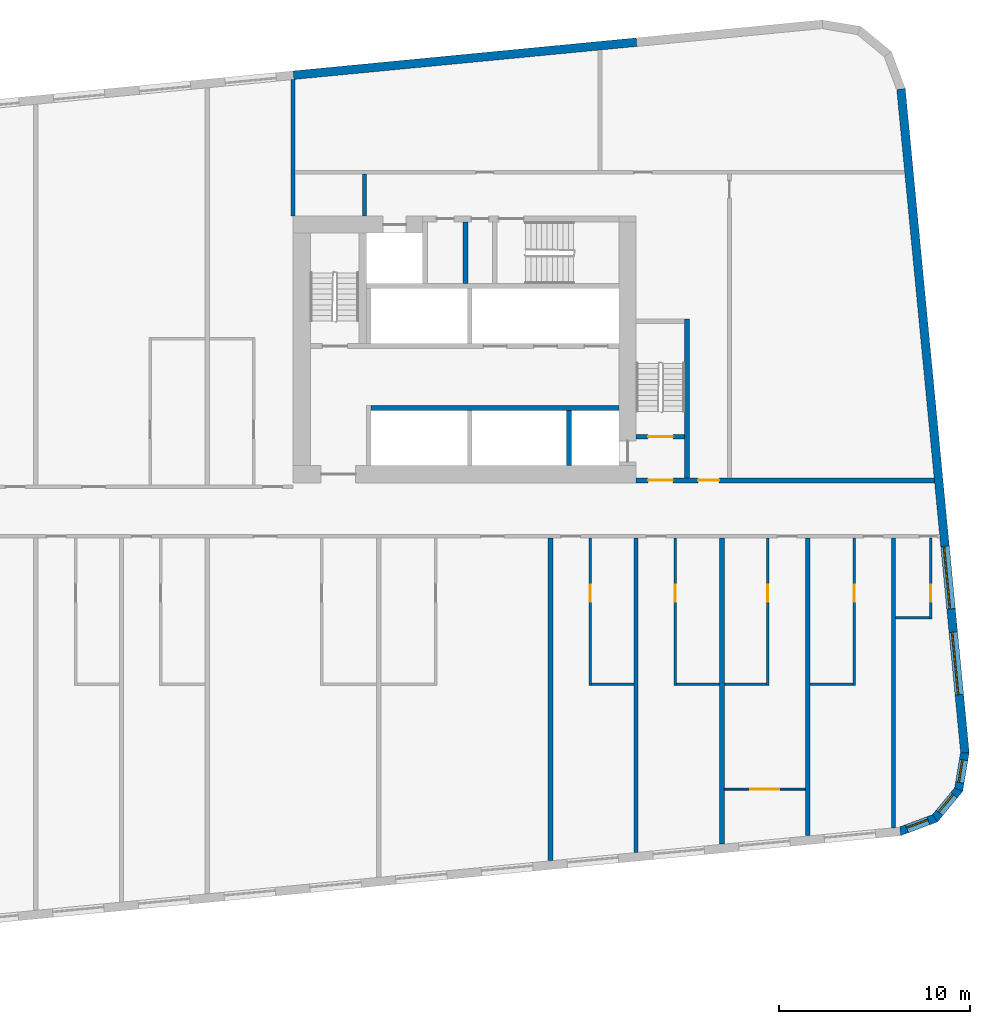
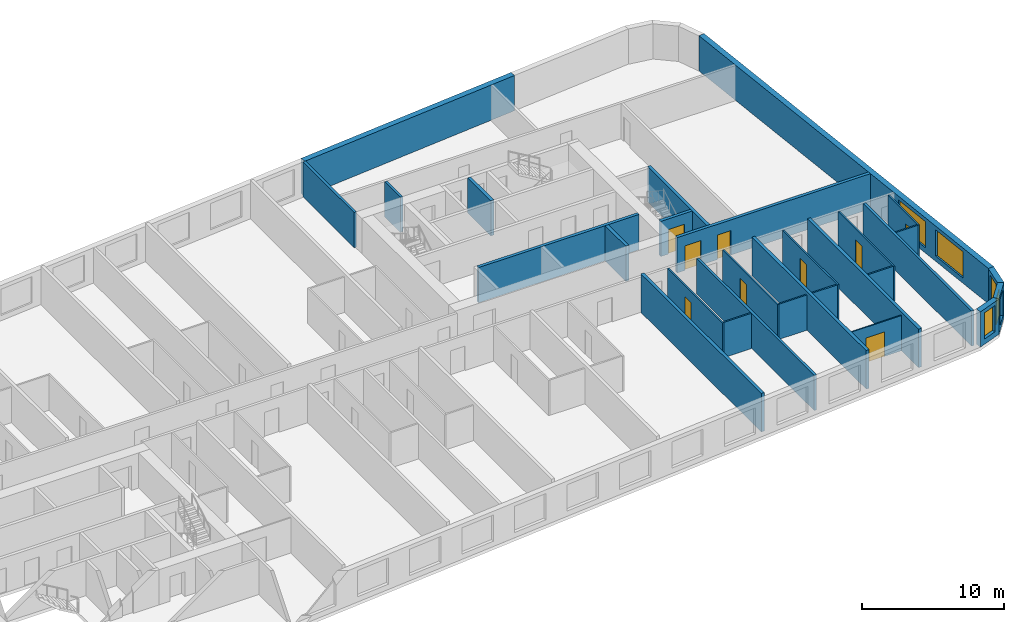
# One storey, part 7 of 12: 29 walls, 9 doors, 5 windows, 14 openings.
"""IFC4 building model written with IfcOpenShell, lengths in metres."""

import ifcopenshell
import ifcopenshell.guid

model = None  # the IFC model being written
_history = None  # IfcOwnerHistory: only IFC2X3 demands one
_inside = {}  # id of a spatial element -> (the spatial element, [elements in it])
_under = {}  # id of a project, library or spatial element -> (it, [spatial elements below it])
_declared = {}  # id of a project -> (the project, [libraries it declares])
_typed = {}  # id of a type object -> (the type object, [elements of that type])
_made_of = {}  # id of a material, layer set ... -> (it, [elements and type objects made of it])


def new_model(schema):
    """Start an empty IFC model of exactly this schema.

    Asked for "IFC4X3", IfcOpenShell would pick the latest addendum, in which some entities
    have other attributes; the version numbers below select the first issue.
    IFC2X3 requires an IfcOwnerHistory on every rooted entity: one is made here for all.
    """
    global model, _history
    if schema == "IFC4X3":
        model = ifcopenshell.file(schema_version=(4, 3, 0, 0))
    else:
        model = ifcopenshell.file(schema=schema)
    _inside.clear()
    _under.clear()
    _declared.clear()
    _typed.clear()
    _made_of.clear()
    _history = None
    if model.schema == "IFC2X3":
        org = make("IfcOrganization", Name="unknown")
        user = make(
            "IfcPersonAndOrganization",
            ThePerson=make("IfcPerson", FamilyName="unknown"),
            TheOrganization=org,
        )
        app = make(
            "IfcApplication",
            ApplicationDeveloper=org,
            Version="unknown",
            ApplicationFullName="unknown",
            ApplicationIdentifier="unknown",
        )
        _history = make(
            "IfcOwnerHistory",
            OwningUser=user,
            OwningApplication=app,
            ChangeAction="ADDED",
            CreationDate=0,
        )
    return model


def make(cls, **values):
    """One entity of the class cls with the attributes given. An attribute that is None is left unset."""
    return model.create_entity(
        cls, **{name: value for name, value in values.items() if value is not None}
    )


def rooted(cls, **values):
    """An entity with a GlobalId (a new one), such as an element, a storey or a relation."""
    return make(cls, GlobalId=ifcopenshell.guid.new(), OwnerHistory=_history, **values)


def si_unit(unit_type, name, prefix=None):
    """IfcSIUnit, for example si_unit("LENGTHUNIT", "METRE", prefix="MILLI")."""
    return make("IfcSIUnit", UnitType=unit_type, Prefix=prefix, Name=name)


def assignment(units):
    """IfcUnitAssignment: the units of a project."""
    return None if units is None else make("IfcUnitAssignment", Units=units)


def point(xyz):
    """IfcCartesianPoint."""
    return None if xyz is None else make("IfcCartesianPoint", Coordinates=xyz)


def direction(xyz):
    """IfcDirection."""
    return None if xyz is None else make("IfcDirection", DirectionRatios=xyz)


def frame(location, z_axis=None, x_axis=None):
    """IfcAxis2Placement3D, a coordinate frame: its origin and axes. An axis left out is left unset."""
    return make(
        "IfcAxis2Placement3D",
        Location=point(location),
        Axis=direction(z_axis),
        RefDirection=direction(x_axis),
    )


def frame_2d(location, x_axis=None):
    """IfcAxis2Placement2D, a coordinate frame in the plane: its origin and x axis."""
    return make(
        "IfcAxis2Placement2D", Location=point(location), RefDirection=direction(x_axis)
    )


def origin():
    """The frame at (0, 0, 0) with its axes left unset."""
    return frame((0.0, 0.0, 0.0))


def place(relative_to, where):
    """IfcLocalPlacement: puts the frame where relative to a parent placement (None: the world)."""
    return make(
        "IfcLocalPlacement", PlacementRelTo=relative_to, RelativePlacement=where
    )


def context(
    kind, dimensions, precision=None, world=None, true_north=None, identifier=None
):
    """IfcGeometricRepresentationContext, for example the 3D "Model" context."""
    return make(
        "IfcGeometricRepresentationContext",
        ContextIdentifier=identifier,
        ContextType=kind,
        CoordinateSpaceDimension=dimensions,
        Precision=precision,
        WorldCoordinateSystem=world,
        TrueNorth=true_north,
    )


def subcontext(parent, identifier, kind, view, scale=None):
    """IfcGeometricRepresentationSubContext, for example "Body" below "Model"."""
    return make(
        "IfcGeometricRepresentationSubContext",
        ContextIdentifier=identifier,
        ContextType=kind,
        ParentContext=parent,
        TargetScale=scale,
        TargetView=view,
    )


def project(units=None, contexts=None):
    """IfcProject with its units and contexts."""
    return rooted(
        "IfcProject",
        Name="project",
        RepresentationContexts=contexts,
        UnitsInContext=assignment(units),
    )


def spatial(cls, under=None, at=None, **own):
    """A site, building, storey or space (cls), placed at a placement, below another one or the project."""
    s = rooted(cls, ObjectPlacement=at, **own)
    if under is not None:
        _under.setdefault(under.id(), (under, []))[1].append(s)
    return s


def polyline(points):
    """IfcPolyline through the points."""
    return make("IfcPolyline", Points=[point(p) for p in points])


def profile(cls, at=None, kind="AREA", **sizes):
    """A parametric profile (cls). Its sizes go by their IFC names, for example OverallWidth=200.0."""
    return make(cls, ProfileType=kind, Position=at, **sizes)


def rectangle(**sizes):
    """IfcRectangleProfileDef."""
    return profile("IfcRectangleProfileDef", **sizes)


def outline(outer, holes=None, kind="AREA"):
    """IfcArbitraryClosedProfileDef: a profile drawn as a closed curve; with holes, ...WithVoids."""
    if holes is None:
        return make("IfcArbitraryClosedProfileDef", ProfileType=kind, OuterCurve=outer)
    return make(
        "IfcArbitraryProfileDefWithVoids",
        ProfileType=kind,
        OuterCurve=outer,
        InnerCurves=holes,
    )


def extrude(swept, where, along, depth):
    """IfcExtrudedAreaSolid: the profile swept, set in the frame where, extruded along a direction by depth."""
    return make(
        "IfcExtrudedAreaSolid",
        SweptArea=swept,
        Position=where,
        ExtrudedDirection=direction(along),
        Depth=depth,
    )


def shape(context_of_items, identifier, shape_type, items):
    """IfcShapeRepresentation: the items that make up one representation, for example the "Body"."""
    return make(
        "IfcShapeRepresentation",
        ContextOfItems=context_of_items,
        RepresentationIdentifier=identifier,
        RepresentationType=shape_type,
        Items=items,
    )


def material(Name=None, Category=None):
    """IfcMaterial."""
    return make("IfcMaterial", Name=Name, Category=Category)


def layer(
    of_material, thickness, ventilated=None, Name=None, Category=None, Priority=None
):
    """IfcMaterialLayer: one layer of a wall or slab, of a material (None: an air gap)."""
    return make(
        "IfcMaterialLayer",
        Material=of_material,
        LayerThickness=thickness,
        IsVentilated=ventilated,
        Name=Name,
        Category=Category,
        Priority=Priority,
    )


def layer_set(layers, Name=None):
    """IfcMaterialLayerSet."""
    return make("IfcMaterialLayerSet", MaterialLayers=layers, LayerSetName=Name)


def made_of(thing, what):
    """Note that an element or type object is made of a material, layer set ...; save() writes the relation."""
    if what is not None:
        _made_of.setdefault(what.id(), (what, []))[1].append(thing)
    return thing


def type_object(cls, material=None, **own):
    """A type object (cls), such as IfcWallType, which elements share."""
    return made_of(rooted(cls, **own), material)


def element(
    cls,
    number,
    at=None,
    inside=None,
    cuts=None,
    type_object=None,
    material=None,
    context=None,
    identifier="Body",
    shape_type=None,
    held_by="IfcProductDefinitionShape",
    body=None,
    shapes=None,
    **own,
):
    """One element of the class cls, such as IfcWall. Its Tag is "e" and its number.

    at: its placement. inside: the storey or other place that contains it. cuts: it is an
    opening in that element (IfcRelVoidsElement). A single representation is given by context,
    identifier, shape_type and body (its items); several are given by shapes. held_by: the class
    of the entity that holds the representations. save() writes the other relations.
    """
    e = rooted(cls, Tag="e%d" % number, ObjectPlacement=at, **own)
    if body is not None:
        shapes = [shape(context, identifier, shape_type, body)]
    if shapes is not None:
        e.Representation = make(held_by, Representations=shapes)
    if inside is not None:
        _inside.setdefault(inside.id(), (inside, []))[1].append(e)
    if cuts is not None:
        rooted(
            "IfcRelVoidsElement", RelatingBuildingElement=cuts, RelatedOpeningElement=e
        )
    if type_object is not None:
        _typed.setdefault(type_object.id(), (type_object, []))[1].append(e)
    return made_of(e, material)


def fill(opening, filler):
    """IfcRelFillsElement: the door or window that sits in an opening."""
    return rooted(
        "IfcRelFillsElement",
        RelatingOpeningElement=opening,
        RelatedBuildingElement=filler,
    )


def aggregate(whole, parts):
    """IfcRelAggregates: a whole, such as a stair, and the parts it consists of."""
    return rooted("IfcRelAggregates", RelatingObject=whole, RelatedObjects=parts)


def save(model, path):
    """Write the relations noted so far, then the file.

    IfcRelAggregates (storeys below a building ...), IfcRelContainedInSpatialStructure (elements
    in a storey), IfcRelDefinesByType, IfcRelAssociatesMaterial and IfcRelDeclares: one each for
    every whole, place, type object, material and project.
    """
    for whole, parts in _under.values():
        aggregate(whole, parts)
    for where, things in _inside.values():
        rooted(
            "IfcRelContainedInSpatialStructure",
            RelatedElements=things,
            RelatingStructure=where,
        )
    for kind, things in _typed.values():
        rooted("IfcRelDefinesByType", RelatedObjects=things, RelatingType=kind)
    for what, things in _made_of.values():
        rooted("IfcRelAssociatesMaterial", RelatedObjects=things, RelatingMaterial=what)
    for by, libraries in _declared.values():
        rooted("IfcRelDeclares", RelatingContext=by, RelatedDefinitions=libraries)
    model.write(path)


model = new_model("IFC4")

# Units and contexts
model_context = context("Model", 3, precision=1e-05, world=origin(), true_north=direction((0.0, 1.0)))
body_context = subcontext(model_context, "Body", "Model", "MODEL_VIEW")
ifc_project = project(units=[si_unit("LENGTHUNIT", "METRE"), si_unit("AREAUNIT", "SQUARE_METRE"), si_unit("VOLUMEUNIT", "CUBIC_METRE"), si_unit("PLANEANGLEUNIT", "RADIAN"), si_unit("MASSUNIT", "GRAM", prefix="KILO")], contexts=[model_context])

# Site, building, storey
site_placement = place(None, origin())
site = spatial("IfcSite", under=ifc_project, at=site_placement, CompositionType="ELEMENT")
building_placement = place(site_placement, origin())
building = spatial("IfcBuilding", under=site, at=building_placement, Name="Kajstack Hotel Tower", CompositionType="ELEMENT")
storey_placement = place(building_placement, frame((0.0, 0.0, 133.89990234375)))
storey = spatial("IfcBuildingStorey", under=building, at=storey_placement, Name="L30", CompositionType="ELEMENT", Elevation=133.89990234375)

# Walls
ifc_material_1 = material(Name="Twin-frame gypsum board on steel studs, mineral wool", Category="steel")
ifc_layer_1 = layer(ifc_material_1, 0.199951171875)
ifc_layer_set_1 = layer_set([ifc_layer_1], Name="Demising wall 200")
wall_type_1 = type_object("IfcWallType", Name="Demising wall 200", PredefinedType="PARTITIONING", material=ifc_layer_set_1)
wall_1_placement = place(storey_placement, frame((13.5, 15.5, 0.0), z_axis=(0.0, 0.0, 1.0), x_axis=(0.0, 1.0, 0.0)))
element("IfcWall", 1, at=wall_1_placement, inside=storey, type_object=wall_type_1, Name="G-wall-L30-001", PredefinedType="PARTITIONING", context=body_context, shape_type="SweptSolid", body=[
    extrude(rectangle(XDim=7.162109375, YDim=0.199951171875, at=frame_2d((3.5810546875, 0.0))), origin(), (0.0, 0.0, 1.0), 3.02001953125),
])
wall_2_placement = place(storey_placement, frame((31.5, -17.89892578125, 0.0), z_axis=(0.0, 0.0, 1.0), x_axis=(0.0, 1.0, 0.0)))
element("IfcWall", 2, at=wall_2_placement, inside=storey, type_object=wall_type_1, Name="G-wall-L30-036", PredefinedType="PARTITIONING", context=body_context, shape_type="SweptSolid", body=[
    extrude(rectangle(XDim=16.4990234375, YDim=0.199951171875, at=frame_2d((8.24951171875, 0.0))), origin(), (0.0, 0.0, 1.0), 3.02001953125),
])
wall_3_placement = place(storey_placement, frame((45.0, -16.59912109375, 0.0), z_axis=(0.0, 0.0, 1.0), x_axis=(0.0, 1.0, 0.0)))
element("IfcWall", 3, at=wall_3_placement, inside=storey, type_object=wall_type_1, Name="G-wall-L30-044", PredefinedType="PARTITIONING", context=body_context, shape_type="SweptSolid", body=[
    extrude(rectangle(XDim=15.19921875, YDim=0.199951171875, at=frame_2d((7.599609375, 0.0))), origin(), (0.0, 0.0, 1.0), 3.02001953125),
])
ifc_material_2 = material(Name="Concrete C40/50", Category="concrete")
ifc_layer_2 = layer(ifc_material_2, 0.449951171875)
ifc_layer_set_2 = layer_set([ifc_layer_2], Name="EW-CORE")
wall_type_2 = type_object("IfcWallType", Name="EW-CORE", PredefinedType="SOLIDWALL", material=ifc_layer_set_2)
wall_4_placement = place(storey_placement, frame((31.521484375, 24.623291015625, 0.0), z_axis=(0.0, 0.0, 1.0), x_axis=(-0.995396454615, -0.095843091245, 0.0)))
element("IfcWall", 4, at=wall_4_placement, inside=storey, type_object=wall_type_2, Name="E-wall-L30-12-01", PredefinedType="SOLIDWALL", context=body_context, shape_type="SweptSolid", body=[
    extrude(rectangle(XDim=18.083251953125, YDim=0.449951171875, at=frame_2d((9.04150390625, 0.0))), origin(), (0.0, 0.0, 1.0), 3.02001953125),
])

# Wall, opening, window
ifc_material_3 = material(Name="Terracotta-faced brick masonry", Category="masonry")
ifc_layer_3 = layer(ifc_material_3, 0.449951171875)
ifc_layer_set_3 = layer_set([ifc_layer_3], Name="EW-TERRA")
wall_type_3 = type_object("IfcWallType", Name="EW-TERRA", PredefinedType="SOLIDWALL", material=ifc_layer_set_3)
wall_5_placement = place(storey_placement, frame((45.300048828125, -16.804443359375, 0.0), z_axis=(0.0, 0.0, 1.0), x_axis=(0.936677599948, 0.350192909346, 0.0)))
wall_5 = element("IfcWall", 5, at=wall_5_placement, inside=storey, type_object=wall_type_3, Name="E-wall-L30-05-00", PredefinedType="SOLIDWALL", context=body_context, shape_type="SweptSolid", body=[
    extrude(outline(polyline([(0.0, -0.224853515625), (2.070556640625, -0.224853515625), (1.949951171875, 0.22509765625), (0.12060546875, 0.22509765625), (0.0, -0.224853515625)])), origin(), (0.0, 0.0, 1.0), 3.02001953125),
])
opening_1_placement = place(wall_5_placement, frame((0.435302734375, 0.0, 0.449951171875)))
opening_1 = element("IfcOpeningElement", 6, at=opening_1_placement, cuts=wall_5, Name="Opening W3", PredefinedType="OPENING", context=body_context, shape_type="SweptSolid", body=[
    extrude(rectangle(XDim=1.199951171875, YDim=2.25, at=frame_2d((0.60009765625, 1.125))), frame((0.0, 0.23486328125, 0.0), z_axis=(0.0, -1.0, 0.0), x_axis=(1.0, 0.0, 0.0)), (0.0, 0.0, 1.0), 0.469970703125),
])
ifc_material_4 = material(Name="Timber-aluminium window, triple glazed", Category="wood")
window_type_1 = type_object("IfcWindowType", Name="WG3", PartitioningType="SINGLE_PANEL", PredefinedType="WINDOW", material=ifc_material_4)
window_1_placement = place(opening_1_placement, origin())
window_1 = element("IfcWindow", 7, at=window_1_placement, inside=storey, type_object=window_type_1, Name="Window W3 L30-05", OverallHeight=2.25, OverallWidth=1.199951171875, PartitioningType="SINGLE_PANEL", PredefinedType="WINDOW", context=body_context, shape_type="SweptSolid", body=[
    extrude(rectangle(XDim=1.199951171875, YDim=2.25, at=frame_2d((0.60009765625, 1.125))), frame((0.0, 0.090087890625, 0.0), z_axis=(0.0, -1.0, 0.0), x_axis=(1.0, 0.0, 0.0)), (0.0, 0.0, 1.0), 0.06005859375),
])
fill(opening_1, window_1)

wall_6_placement = place(storey_placement, frame((47.144775390625, -16.14697265625, 0.0), z_axis=(0.0, 0.0, 1.0), x_axis=(0.635988241739, 0.771698747161, 0.0)))
wall_6 = element("IfcWall", 8, at=wall_6_placement, inside=storey, type_object=wall_type_3, Name="E-wall-L30-06-00", PredefinedType="SOLIDWALL", context=body_context, shape_type="SweptSolid", body=[
    extrude(outline(polyline([(0.0, -0.224853515625), (2.070556640625, -0.22509765625), (1.949951171875, 0.224853515625), (0.12060546875, 0.22509765625), (0.0, -0.224853515625)])), origin(), (0.0, 0.0, 1.0), 3.02001953125),
])
opening_2_placement = place(wall_6_placement, frame((0.435302734375, 0.0, 0.449951171875)))
opening_2 = element("IfcOpeningElement", 9, at=opening_2_placement, cuts=wall_6, Name="Opening W3", PredefinedType="OPENING", context=body_context, shape_type="SweptSolid", body=[
    extrude(rectangle(XDim=1.199951171875, YDim=2.25, at=frame_2d((0.60009765625, 1.125))), frame((0.0, 0.23486328125, 0.0), z_axis=(0.0, -1.0, 0.0), x_axis=(1.0, 0.0, 0.0)), (0.0, 0.0, 1.0), 0.469970703125),
])
window_2_placement = place(opening_2_placement, origin())
window_2 = element("IfcWindow", 10, at=window_2_placement, inside=storey, type_object=window_type_1, Name="Window W3 L30-06", OverallHeight=2.25, OverallWidth=1.199951171875, PartitioningType="SINGLE_PANEL", PredefinedType="WINDOW", context=body_context, shape_type="SweptSolid", body=[
    extrude(rectangle(XDim=1.199951171875, YDim=2.25, at=frame_2d((0.60009765625, 1.125))), frame((0.0, 0.090087890625, 0.0), z_axis=(0.0, -1.0, 0.0), x_axis=(1.0, 0.0, 0.0)), (0.0, 0.0, 1.0), 0.06005859375),
])
fill(opening_2, window_2)

wall_7_placement = place(storey_placement, frame((48.413330078125, -14.6552734375, 0.0), z_axis=(0.0, 0.0, 1.0), x_axis=(0.165068144653, 0.986282164302, 0.0)))
wall_7 = element("IfcWall", 11, at=wall_7_placement, inside=storey, type_object=wall_type_3, Name="E-wall-L30-07-00", PredefinedType="SOLIDWALL", context=body_context, shape_type="SweptSolid", body=[
    extrude(outline(polyline([(0.0, -0.22509765625), (2.07080078125, -0.224853515625), (1.9501953125, 0.22509765625), (0.12060546875, 0.224853515625), (0.0, -0.22509765625)])), origin(), (0.0, 0.0, 1.0), 3.02001953125),
])
opening_3_placement = place(wall_7_placement, frame((0.435302734375, 0.0, 0.449951171875)))
opening_3 = element("IfcOpeningElement", 12, at=opening_3_placement, cuts=wall_7, Name="Opening W3", PredefinedType="OPENING", context=body_context, shape_type="SweptSolid", body=[
    extrude(rectangle(XDim=1.199951171875, YDim=2.25, at=frame_2d((0.60009765625, 1.125))), frame((0.0, 0.23486328125, 0.0), z_axis=(0.0, -1.0, 0.0), x_axis=(1.0, 0.0, 0.0)), (0.0, 0.0, 1.0), 0.469970703125),
])
window_3_placement = place(opening_3_placement, origin())
window_3 = element("IfcWindow", 13, at=window_3_placement, inside=storey, type_object=window_type_1, Name="Window W3 L30-07", OverallHeight=2.25, OverallWidth=1.199951171875, PartitioningType="SINGLE_PANEL", PredefinedType="WINDOW", context=body_context, shape_type="SweptSolid", body=[
    extrude(rectangle(XDim=1.199951171875, YDim=2.25, at=frame_2d((0.60009765625, 1.125))), frame((0.0, 0.090087890625, 0.0), z_axis=(0.0, -1.0, 0.0), x_axis=(1.0, 0.0, 0.0)), (0.0, 0.0, 1.0), 0.06005859375),
])
fill(opening_3, window_3)

# Wall, openings, windows
wall_8_placement = place(storey_placement, frame((48.7529296875, -12.671630859375, 0.0), z_axis=(0.0, 0.0, 1.0), x_axis=(-0.095842661909, 0.995396495954, 0.0)))
wall_8 = element("IfcWall", 14, at=wall_8_placement, inside=storey, type_object=wall_type_3, Name="E-wall-L30-08-00", PredefinedType="SOLIDWALL", context=body_context, shape_type="SweptSolid", body=[
    extrude(rectangle(XDim=35.0, YDim=0.449951171875, at=frame_2d((17.5, 0.0))), origin(), (0.0, 0.0, 1.0), 3.02001953125),
])
opening_4_placement = place(wall_8_placement, frame((3.07177734375, 0.0, 0.449951171875)))
opening_4 = element("IfcOpeningElement", 15, at=opening_4_placement, cuts=wall_8, Name="Opening W2", PredefinedType="OPENING", context=body_context, shape_type="SweptSolid", body=[
    extrude(rectangle(XDim=3.300048828125, YDim=2.25, at=frame_2d((1.64990234375, 1.125))), frame((0.0, 0.23486328125, 0.0), z_axis=(0.0, -1.0, 0.0), x_axis=(1.0, 0.0, 0.0)), (0.0, 0.0, 1.0), 0.469970703125),
])
opening_5_placement = place(wall_8_placement, frame((7.592529296875, 0.0, 0.449951171875)))
opening_5 = element("IfcOpeningElement", 16, at=opening_5_placement, cuts=wall_8, Name="Opening W2", PredefinedType="OPENING", context=body_context, shape_type="SweptSolid", body=[
    extrude(rectangle(XDim=3.300048828125, YDim=2.25, at=frame_2d((1.64990234375, 1.125))), frame((0.0, 0.23486328125, 0.0), z_axis=(0.0, -1.0, 0.0), x_axis=(1.0, 0.0, 0.0)), (0.0, 0.0, 1.0), 0.469970703125),
])
window_type_2 = type_object("IfcWindowType", Name="WG2", PartitioningType="SINGLE_PANEL", PredefinedType="WINDOW", material=ifc_material_4)
window_4_placement = place(opening_4_placement, origin())
window_4 = element("IfcWindow", 17, at=window_4_placement, inside=storey, type_object=window_type_2, Name="Window W2 L30-08", OverallHeight=2.25, OverallWidth=3.300048828125, PartitioningType="SINGLE_PANEL", PredefinedType="WINDOW", context=body_context, shape_type="SweptSolid", body=[
    extrude(rectangle(XDim=3.300048828125, YDim=2.25, at=frame_2d((1.64990234375, 1.125))), frame((0.0, 0.090087890625, 0.0), z_axis=(0.0, -1.0, 0.0), x_axis=(1.0, 0.0, 0.0)), (0.0, 0.0, 1.0), 0.06005859375),
])
fill(opening_4, window_4)
window_5_placement = place(opening_5_placement, origin())
window_5 = element("IfcWindow", 18, at=window_5_placement, inside=storey, type_object=window_type_2, Name="Window W2 L30-08", OverallHeight=2.25, OverallWidth=3.300048828125, PartitioningType="SINGLE_PANEL", PredefinedType="WINDOW", context=body_context, shape_type="SweptSolid", body=[
    extrude(rectangle(XDim=3.300048828125, YDim=2.25, at=frame_2d((1.64990234375, 1.125))), frame((0.0, 0.090087890625, 0.0), z_axis=(0.0, -1.0, 0.0), x_axis=(1.0, 0.0, 0.0)), (0.0, 0.0, 1.0), 0.06005859375),
])
fill(opening_5, window_5)

# Wall, opening, door
ifc_material_5 = material(Name="Gypsum board and tiled backer on steel studs", Category="steel")
ifc_layer_4 = layer(ifc_material_5, 0.125)
ifc_layer_set_4 = layer_set([ifc_layer_4], Name="En-suite wall 125")
wall_type_4 = type_object("IfcWallType", Name="En-suite wall 125", PredefinedType="PARTITIONING", material=ifc_layer_set_4)
wall_9_placement = place(storey_placement, frame((29.0869140625, -9.125, 0.0), z_axis=(0.0, 0.0, 1.0), x_axis=(0.0, 1.0, 0.0)))
wall_9 = element("IfcWall", 19, at=wall_9_placement, inside=storey, type_object=wall_type_4, Name="G-wall-L30-037", PredefinedType="PARTITIONING", context=body_context, shape_type="SweptSolid", body=[
    extrude(rectangle(XDim=7.72509765625, YDim=0.125, at=frame_2d((3.862548828125, 0.0))), origin(), (0.0, 0.0, 1.0), 3.02001953125),
])
opening_6_placement = place(wall_9_placement, frame((4.375, 0.0, 0.0)))
opening_6 = element("IfcOpeningElement", 20, at=opening_6_placement, cuts=wall_9, Name="Opening 30031", PredefinedType="OPENING", context=body_context, shape_type="SweptSolid", body=[
    extrude(rectangle(XDim=0.89990234375, YDim=2.10009765625, at=frame_2d((0.449951171875, 1.050048828125))), frame((0.0, 0.072509765625, 0.0), z_axis=(0.0, -1.0, 0.0), x_axis=(1.0, 0.0, 0.0)), (0.0, 0.0, 1.0), 0.14501953125),
])
ifc_material_6 = material(Name="Painted timber door leaf", Category="wood")
door_type_1 = type_object("IfcDoorType", Name="Room door 900", OperationType="SINGLE_SWING_LEFT", PredefinedType="DOOR", material=ifc_material_6)
door_1_placement = place(opening_6_placement, origin())
door_1 = element("IfcDoor", 21, at=door_1_placement, inside=storey, type_object=door_type_1, Name="G-door-L30-31", OperationType="SINGLE_SWING_RIGHT", OverallHeight=2.10009765625, OverallWidth=0.89990234375, PredefinedType="DOOR", context=body_context, shape_type="SweptSolid", body=[
    extrude(rectangle(XDim=0.89990234375, YDim=2.10009765625, at=frame_2d((0.449951171875, 1.050048828125))), frame((0.0, 0.02490234375, 0.0), z_axis=(0.0, -1.0, 0.0), x_axis=(1.0, 0.0, 0.0)), (0.0, 0.0, 1.0), 0.050048828125),
])
fill(opening_6, door_1)

# Wall
wall_10_placement = place(storey_placement, frame((29.14990234375, -9.06201171875, 0.0), z_axis=(0.0, 0.0, 1.0), x_axis=(1.0, 0.0, 0.0)))
element("IfcWall", 22, at=wall_10_placement, inside=storey, type_object=wall_type_4, Name="G-wall-L30-038", PredefinedType="PARTITIONING", context=body_context, shape_type="SweptSolid", body=[
    extrude(rectangle(XDim=2.25, YDim=0.125, at=frame_2d((1.125, 0.0))), origin(), (0.0, 0.0, 1.0), 3.02001953125),
])

# Wall, opening, door
wall_11_placement = place(storey_placement, frame((33.56201171875, -9.125, 0.0), z_axis=(0.0, 0.0, 1.0), x_axis=(0.0, 1.0, 0.0)))
wall_11 = element("IfcWall", 23, at=wall_11_placement, inside=storey, type_object=wall_type_4, Name="G-wall-L30-039", PredefinedType="PARTITIONING", context=body_context, shape_type="SweptSolid", body=[
    extrude(rectangle(XDim=7.72509765625, YDim=0.125, at=frame_2d((3.862548828125, 0.0))), origin(), (0.0, 0.0, 1.0), 3.02001953125),
])
opening_7_placement = place(wall_11_placement, frame((4.375, 0.0, 0.0)))
opening_7 = element("IfcOpeningElement", 24, at=opening_7_placement, cuts=wall_11, Name="Opening 30033", PredefinedType="OPENING", context=body_context, shape_type="SweptSolid", body=[
    extrude(rectangle(XDim=0.89990234375, YDim=2.10009765625, at=frame_2d((0.449951171875, 1.050048828125))), frame((0.0, 0.072509765625, 0.0), z_axis=(0.0, -1.0, 0.0), x_axis=(1.0, 0.0, 0.0)), (0.0, 0.0, 1.0), 0.14501953125),
])
door_2_placement = place(opening_7_placement, origin())
door_2 = element("IfcDoor", 25, at=door_2_placement, inside=storey, type_object=door_type_1, Name="G-door-L30-33", OperationType="SINGLE_SWING_RIGHT", OverallHeight=2.10009765625, OverallWidth=0.89990234375, PredefinedType="DOOR", context=body_context, shape_type="SweptSolid", body=[
    extrude(rectangle(XDim=0.89990234375, YDim=2.10009765625, at=frame_2d((0.449951171875, 1.050048828125))), frame((0.0, 0.02490234375, 0.0), z_axis=(0.0, -1.0, 0.0), x_axis=(1.0, 0.0, 0.0)), (0.0, 0.0, 1.0), 0.050048828125),
])
fill(opening_7, door_2)

# Wall
wall_12_placement = place(storey_placement, frame((33.625, -9.06201171875, 0.0), z_axis=(0.0, 0.0, 1.0), x_axis=(1.0, 0.0, 0.0)))
element("IfcWall", 26, at=wall_12_placement, inside=storey, type_object=wall_type_4, Name="G-wall-L30-040", PredefinedType="PARTITIONING", context=body_context, shape_type="SweptSolid", body=[
    extrude(rectangle(XDim=2.25, YDim=0.125, at=frame_2d((1.125, 0.0))), origin(), (0.0, 0.0, 1.0), 3.02001953125),
])

# Wall, opening, door
wall_13_placement = place(storey_placement, frame((38.4130859375, -9.125, 0.0), z_axis=(0.0, 0.0, 1.0), x_axis=(0.0, 1.0, 0.0)))
wall_13 = element("IfcWall", 27, at=wall_13_placement, inside=storey, type_object=wall_type_4, Name="G-wall-L30-041", PredefinedType="PARTITIONING", context=body_context, shape_type="SweptSolid", body=[
    extrude(rectangle(XDim=7.72509765625, YDim=0.125, at=frame_2d((3.862548828125, 0.0))), origin(), (0.0, 0.0, 1.0), 3.02001953125),
])
opening_8_placement = place(wall_13_placement, frame((4.375, 0.0, 0.0)))
opening_8 = element("IfcOpeningElement", 28, at=opening_8_placement, cuts=wall_13, Name="Opening 30035", PredefinedType="OPENING", context=body_context, shape_type="SweptSolid", body=[
    extrude(rectangle(XDim=0.89990234375, YDim=2.10009765625, at=frame_2d((0.449951171875, 1.050048828125))), frame((0.0, 0.072509765625, 0.0), z_axis=(0.0, -1.0, 0.0), x_axis=(1.0, 0.0, 0.0)), (0.0, 0.0, 1.0), 0.14501953125),
])
door_3_placement = place(opening_8_placement, origin())
door_3 = element("IfcDoor", 29, at=door_3_placement, inside=storey, type_object=door_type_1, Name="G-door-L30-35", OperationType="SINGLE_SWING_RIGHT", OverallHeight=2.10009765625, OverallWidth=0.89990234375, PredefinedType="DOOR", context=body_context, shape_type="SweptSolid", body=[
    extrude(rectangle(XDim=0.89990234375, YDim=2.10009765625, at=frame_2d((0.449951171875, 1.050048828125))), frame((0.0, 0.02490234375, 0.0), z_axis=(0.0, -1.0, 0.0), x_axis=(1.0, 0.0, 0.0)), (0.0, 0.0, 1.0), 0.050048828125),
])
fill(opening_8, door_3)

# Wall
wall_14_placement = place(storey_placement, frame((36.125, -9.06201171875, 0.0), z_axis=(0.0, 0.0, 1.0), x_axis=(1.0, 0.0, 0.0)))
element("IfcWall", 30, at=wall_14_placement, inside=storey, type_object=wall_type_4, Name="G-wall-L30-042", PredefinedType="PARTITIONING", context=body_context, shape_type="SweptSolid", body=[
    extrude(rectangle(XDim=2.22509765625, YDim=0.125, at=frame_2d((1.112548828125, 0.0))), origin(), (0.0, 0.0, 1.0), 3.02001953125),
])

# Wall, opening, door
wall_15_placement = place(storey_placement, frame((42.93798828125, -9.125, 0.0), z_axis=(0.0, 0.0, 1.0), x_axis=(0.0, 1.0, 0.0)))
wall_15 = element("IfcWall", 31, at=wall_15_placement, inside=storey, type_object=wall_type_4, Name="G-wall-L30-045", PredefinedType="PARTITIONING", context=body_context, shape_type="SweptSolid", body=[
    extrude(rectangle(XDim=7.72509765625, YDim=0.125, at=frame_2d((3.862548828125, 0.0))), origin(), (0.0, 0.0, 1.0), 3.02001953125),
])
opening_9_placement = place(wall_15_placement, frame((4.375, 0.0, 0.0)))
opening_9 = element("IfcOpeningElement", 32, at=opening_9_placement, cuts=wall_15, Name="Opening 30038", PredefinedType="OPENING", context=body_context, shape_type="SweptSolid", body=[
    extrude(rectangle(XDim=0.89990234375, YDim=2.10009765625, at=frame_2d((0.449951171875, 1.050048828125))), frame((0.0, 0.072509765625, 0.0), z_axis=(0.0, -1.0, 0.0), x_axis=(1.0, 0.0, 0.0)), (0.0, 0.0, 1.0), 0.14501953125),
])
door_4_placement = place(opening_9_placement, origin())
door_4 = element("IfcDoor", 33, at=door_4_placement, inside=storey, type_object=door_type_1, Name="G-door-L30-38", OperationType="SINGLE_SWING_LEFT", OverallHeight=2.10009765625, OverallWidth=0.89990234375, PredefinedType="DOOR", context=body_context, shape_type="SweptSolid", body=[
    extrude(rectangle(XDim=0.89990234375, YDim=2.10009765625, at=frame_2d((0.449951171875, 1.050048828125))), frame((0.0, 0.02490234375, 0.0), z_axis=(0.0, -1.0, 0.0), x_axis=(1.0, 0.0, 0.0)), (0.0, 0.0, 1.0), 0.050048828125),
])
fill(opening_9, door_4)

# Wall
wall_16_placement = place(storey_placement, frame((40.625, -9.06201171875, 0.0), z_axis=(0.0, 0.0, 1.0), x_axis=(1.0, 0.0, 0.0)))
element("IfcWall", 34, at=wall_16_placement, inside=storey, type_object=wall_type_4, Name="G-wall-L30-046", PredefinedType="PARTITIONING", context=body_context, shape_type="SweptSolid", body=[
    extrude(rectangle(XDim=2.25, YDim=0.125, at=frame_2d((1.125, 0.0))), origin(), (0.0, 0.0, 1.0), 3.02001953125),
])

# Wall, opening, door
wall_17_placement = place(storey_placement, frame((46.9619140625, -5.634033203125, 0.0), z_axis=(0.0, 0.0, 1.0), x_axis=(0.0, 1.0, 0.0)))
wall_17 = element("IfcWall", 35, at=wall_17_placement, inside=storey, type_object=wall_type_4, Name="G-wall-L30-047", PredefinedType="PARTITIONING", context=body_context, shape_type="SweptSolid", body=[
    extrude(rectangle(XDim=4.234130859375, YDim=0.125, at=frame_2d((2.1171875, 0.0))), origin(), (0.0, 0.0, 1.0), 3.02001953125),
])
opening_10_placement = place(wall_17_placement, frame((0.884033203125, 0.0, 0.0)))
opening_10 = element("IfcOpeningElement", 36, at=opening_10_placement, cuts=wall_17, Name="Opening 30040", PredefinedType="OPENING", context=body_context, shape_type="SweptSolid", body=[
    extrude(rectangle(XDim=0.89990234375, YDim=2.10009765625, at=frame_2d((0.449951171875, 1.050048828125))), frame((0.0, 0.072509765625, 0.0), z_axis=(0.0, -1.0, 0.0), x_axis=(1.0, 0.0, 0.0)), (0.0, 0.0, 1.0), 0.14501953125),
])
door_5_placement = place(opening_10_placement, origin())
door_5 = element("IfcDoor", 37, at=door_5_placement, inside=storey, type_object=door_type_1, Name="G-door-L30-40", OperationType="SINGLE_SWING_RIGHT", OverallHeight=2.10009765625, OverallWidth=0.89990234375, PredefinedType="DOOR", context=body_context, shape_type="SweptSolid", body=[
    extrude(rectangle(XDim=0.89990234375, YDim=2.10009765625, at=frame_2d((0.449951171875, 1.050048828125))), frame((0.0, 0.02490234375, 0.0), z_axis=(0.0, -1.0, 0.0), x_axis=(1.0, 0.0, 0.0)), (0.0, 0.0, 1.0), 0.050048828125),
])
fill(opening_10, door_5)

# Wall
wall_18_placement = place(storey_placement, frame((45.10009765625, -5.572021484375, 0.0), z_axis=(0.0, 0.0, 1.0), x_axis=(1.0, 0.0, 0.0)))
element("IfcWall", 38, at=wall_18_placement, inside=storey, type_object=wall_type_4, Name="G-wall-L30-048", PredefinedType="PARTITIONING", context=body_context, shape_type="SweptSolid", body=[
    extrude(rectangle(XDim=1.7998046875, YDim=0.125, at=frame_2d((0.89990234375, 0.0))), origin(), (0.0, 0.0, 1.0), 3.02001953125),
])

# Wall, opening, door
ifc_material_7 = material(Name="Gypsum board on steel studs", Category="steel")
ifc_layer_5 = layer(ifc_material_7, 0.10009765625)
ifc_layer_set_5 = layer_set([ifc_layer_5], Name="Partition 100")
wall_type_5 = type_object("IfcWallType", Name="Partition 100", PredefinedType="PARTITIONING", material=ifc_layer_set_5)
wall_19_placement = place(storey_placement, frame((36.125, -14.574951171875, 0.0), z_axis=(0.0, 0.0, 1.0), x_axis=(1.0, 0.0, 0.0)))
wall_19 = element("IfcWall", 39, at=wall_19_placement, inside=storey, type_object=wall_type_5, Name="G-wall-L30-043", PredefinedType="PARTITIONING", context=body_context, shape_type="SweptSolid", body=[
    extrude(rectangle(XDim=4.25, YDim=0.10009765625, at=frame_2d((2.125, 0.0))), origin(), (0.0, 0.0, 1.0), 3.02001953125),
])
opening_11_placement = place(wall_19_placement, frame((1.375, 0.0, 0.0)))
opening_11 = element("IfcOpeningElement", 40, at=opening_11_placement, cuts=wall_19, Name="Opening 30036", PredefinedType="OPENING", context=body_context, shape_type="SweptSolid", body=[
    extrude(rectangle(XDim=1.5, YDim=2.10009765625, at=frame_2d((0.75, 1.050048828125))), frame((0.0, 0.06005859375, 0.0), z_axis=(0.0, -1.0, 0.0), x_axis=(1.0, 0.0, 0.0)), (0.0, 0.0, 1.0), 0.1201171875),
])
ifc_material_8 = material(Name="Painted timber door leaves, glazed panels", Category="wood")
door_type_2 = type_object("IfcDoorType", Name="Double door 1500", OperationType="SINGLE_SWING_LEFT", PredefinedType="DOOR", material=ifc_material_8)
door_6_placement = place(opening_11_placement, origin())
door_6 = element("IfcDoor", 41, at=door_6_placement, inside=storey, type_object=door_type_2, Name="G-door-L30-36", OperationType="SINGLE_SWING_LEFT", OverallHeight=2.10009765625, OverallWidth=1.5, PredefinedType="DOOR", context=body_context, shape_type="SweptSolid", body=[
    extrude(rectangle(XDim=1.5, YDim=2.10009765625, at=frame_2d((0.75, 1.050048828125))), frame((0.0, 0.02490234375, 0.0), z_axis=(0.0, -1.0, 0.0), x_axis=(1.0, 0.0, 0.0)), (0.0, 0.0, 1.0), 0.050048828125),
])
fill(opening_11, door_6)

# Walls
ifc_material_9 = material(Name="Concrete C55/67", Category="concrete")
ifc_layer_6 = layer(ifc_material_9, 0.25)
ifc_layer_set_6 = layer_set([ifc_layer_6], Name="RC cross wall 250 C55/67")
wall_type_6 = type_object("IfcWallType", Name="RC cross wall 250 C55/67", PredefinedType="SHEAR", material=ifc_layer_set_6)
wall_20_placement = place(storey_placement, frame((27.0, -18.310546875, 0.0), z_axis=(0.0, 0.0, 1.0), x_axis=(0.0, 1.0, 0.0)))
element("IfcWall", 42, at=wall_20_placement, inside=storey, type_object=wall_type_6, Name="S-wall-L30-11", PredefinedType="SHEAR", context=body_context, shape_type="SweptSolid", body=[
    extrude(rectangle(XDim=16.91064453125, YDim=0.25, at=frame_2d((8.455322265625, 0.0))), origin(), (0.0, 0.0, 1.0), 3.300048828125),
])
wall_21_placement = place(storey_placement, frame((36.0, -17.444091796875, 0.0), z_axis=(0.0, 0.0, 1.0), x_axis=(0.0, 1.0, 0.0)))
element("IfcWall", 43, at=wall_21_placement, inside=storey, type_object=wall_type_6, Name="S-wall-L30-12", PredefinedType="SHEAR", context=body_context, shape_type="SweptSolid", body=[
    extrude(rectangle(XDim=16.044189453125, YDim=0.25, at=frame_2d((8.02197265625, 0.0))), origin(), (0.0, 0.0, 1.0), 3.300048828125),
])
wall_22_placement = place(storey_placement, frame((40.5, -17.0107421875, 0.0), z_axis=(0.0, 0.0, 1.0), x_axis=(0.0, 1.0, 0.0)))
element("IfcWall", 44, at=wall_22_placement, inside=storey, type_object=wall_type_6, Name="S-wall-L30-13", PredefinedType="SHEAR", context=body_context, shape_type="SweptSolid", body=[
    extrude(rectangle(XDim=15.61083984375, YDim=0.25, at=frame_2d((7.805419921875, 0.0))), origin(), (0.0, 0.0, 1.0), 3.300048828125),
])
ifc_material_10 = material(Name="Concrete block masonry", Category="masonry")
ifc_layer_7 = layer(ifc_material_10, 0.25)
ifc_layer_set_7 = layer_set([ifc_layer_7], Name="Riser partition 250")
wall_type_7 = type_object("IfcWallType", Name="Riser partition 250", PredefinedType="PARTITIONING", material=ifc_layer_set_7)
wall_23_placement = place(storey_placement, frame((22.550048828125, 11.949951171875, 0.0), z_axis=(0.0, 0.0, 1.0), x_axis=(0.0, 1.0, 0.0)))
element("IfcWall", 45, at=wall_23_placement, inside=storey, type_object=wall_type_7, Name="Partition E SZ0", PredefinedType="PARTITIONING", context=body_context, shape_type="SweptSolid", body=[
    extrude(rectangle(XDim=3.25, YDim=0.25, at=frame_2d((1.625, 0.0))), origin(), (0.0, 0.0, 1.0), 3.02001953125),
])

# Wall, openings, doors
ifc_material_11 = material(Name="Gypsum board on steel studs, mineral wool", Category="steel")
ifc_layer_8 = layer(ifc_material_11, 0.199951171875)
ifc_layer_set_8 = layer_set([ifc_layer_8], Name="Service partition 200")
wall_type_8 = type_object("IfcWallType", Name="Service partition 200", PredefinedType="PARTITIONING", material=ifc_layer_set_8)
wall_24_placement = place(storey_placement, frame((31.5, 1.625, 0.0), z_axis=(0.0, 0.0, 1.0), x_axis=(1.0, 0.0, 0.0)))
wall_24 = element("IfcWall", 46, at=wall_24_placement, inside=storey, type_object=wall_type_8, Name="Partition E SN", PredefinedType="PARTITIONING", context=body_context, shape_type="SweptSolid", body=[
    extrude(rectangle(XDim=15.650390625, YDim=0.25, at=frame_2d((7.8251953125, 0.0))), origin(), (0.0, 0.0, 1.0), 3.02001953125),
])
opening_12_placement = place(wall_24_placement, frame((0.625, 0.0, 0.0)))
opening_12 = element("IfcOpeningElement", 47, at=opening_12_placement, cuts=wall_24, Name="Opening 30E07", PredefinedType="OPENING", context=body_context, shape_type="SweptSolid", body=[
    extrude(rectangle(XDim=1.300048828125, YDim=2.10009765625, at=frame_2d((0.64990234375, 1.050048828125))), frame((0.0, 0.135009765625, 0.0), z_axis=(0.0, -1.0, 0.0), x_axis=(1.0, 0.0, 0.0)), (0.0, 0.0, 1.0), 0.27001953125),
])
opening_13_placement = place(wall_24_placement, frame((3.25, 0.0, 0.0)))
opening_13 = element("IfcOpeningElement", 48, at=opening_13_placement, cuts=wall_24, Name="Opening 30E09", PredefinedType="OPENING", context=body_context, shape_type="SweptSolid", body=[
    extrude(rectangle(XDim=1.10009765625, YDim=2.10009765625, at=frame_2d((0.550048828125, 1.050048828125))), frame((0.0, 0.135009765625, 0.0), z_axis=(0.0, -1.0, 0.0), x_axis=(1.0, 0.0, 0.0)), (0.0, 0.0, 1.0), 0.27001953125),
])
ifc_material_12 = material(Name="Steel leaf, fire-rated", Category="steel")
door_type_3 = type_object("IfcDoorType", Name="Fire lobby door 1300", OperationType="SINGLE_SWING_LEFT", PredefinedType="DOOR", material=ifc_material_12)
door_7_placement = place(opening_12_placement, origin())
door_7 = element("IfcDoor", 49, at=door_7_placement, inside=storey, type_object=door_type_3, Name="Door 30E07", OperationType="SINGLE_SWING_LEFT", OverallHeight=2.10009765625, OverallWidth=1.300048828125, PredefinedType="DOOR", context=body_context, shape_type="SweptSolid", body=[
    extrude(rectangle(XDim=1.300048828125, YDim=2.10009765625, at=frame_2d((0.64990234375, 1.050048828125))), frame((0.0, 0.02490234375, 0.0), z_axis=(0.0, -1.0, 0.0), x_axis=(1.0, 0.0, 0.0)), (0.0, 0.0, 1.0), 0.050048828125),
])
fill(opening_12, door_7)
ifc_material_13 = material(Name="Timber leaf, fire-rated", Category="wood")
door_type_4 = type_object("IfcDoorType", Name="Service corridor door 1100", OperationType="SINGLE_SWING_LEFT", PredefinedType="DOOR", material=ifc_material_13)
door_8_placement = place(opening_13_placement, origin())
door_8 = element("IfcDoor", 50, at=door_8_placement, inside=storey, type_object=door_type_4, Name="Door 30E09", OperationType="SINGLE_SWING_LEFT", OverallHeight=2.10009765625, OverallWidth=1.10009765625, PredefinedType="DOOR", context=body_context, shape_type="SweptSolid", body=[
    extrude(rectangle(XDim=1.10009765625, YDim=2.10009765625, at=frame_2d((0.550048828125, 1.050048828125))), frame((0.0, 0.02490234375, 0.0), z_axis=(0.0, -1.0, 0.0), x_axis=(1.0, 0.0, 0.0)), (0.0, 0.0, 1.0), 0.050048828125),
])
fill(opening_13, door_8)

# Walls
wall_25_placement = place(storey_placement, frame((17.25, 15.5, 0.0), z_axis=(0.0, 0.0, 1.0), x_axis=(0.0, 1.0, 0.0)))
element("IfcWall", 51, at=wall_25_placement, inside=storey, type_object=wall_type_8, Name="Partition E SCE", PredefinedType="PARTITIONING", context=body_context, shape_type="SweptSolid", body=[
    extrude(rectangle(XDim=2.199951171875, YDim=0.199951171875, at=frame_2d((1.10009765625, 0.0))), origin(), (0.0, 0.0, 1.0), 3.02001953125),
])
ifc_material_14 = material(Name="Concrete C50/60", Category="concrete")
ifc_layer_9 = layer(ifc_material_14, 0.25)
ifc_layer_set_9 = layer_set([ifc_layer_9], Name="Shaft wall 250")
wall_type_9 = type_object("IfcWallType", Name="Shaft wall 250", PredefinedType="SHEAR", material=ifc_layer_set_9)
wall_26_placement = place(storey_placement, frame((17.60009765625, 5.425048828125, 0.0), z_axis=(0.0, 0.0, 1.0), x_axis=(1.0, 0.0, 0.0)))
element("IfcWall", 52, at=wall_26_placement, inside=storey, type_object=wall_type_9, Name="Core wall E FA", PredefinedType="SHEAR", context=body_context, shape_type="SweptSolid", body=[
    extrude(rectangle(XDim=13.0, YDim=0.25, at=frame_2d((6.5, 0.0))), origin(), (0.0, 0.0, 1.0), 3.02001953125),
])
wall_27_placement = place(storey_placement, frame((27.97509765625, 2.39990234375, 0.0), z_axis=(0.0, 0.0, 1.0), x_axis=(0.0, 1.0, 0.0)))
element("IfcWall", 53, at=wall_27_placement, inside=storey, type_object=wall_type_9, Name="Core wall E AP0", PredefinedType="SHEAR", context=body_context, shape_type="SweptSolid", body=[
    extrude(rectangle(XDim=2.900146484375, YDim=0.25, at=frame_2d((1.4501953125, 0.0))), origin(), (0.0, 0.0, 1.0), 3.02001953125),
])

# Wall, opening, door
ifc_layer_10 = layer(ifc_material_2, 0.25)
ifc_layer_set_10 = layer_set([ifc_layer_10], Name="Stair enclosure wall 250")
wall_type_10 = type_object("IfcWallType", Name="Stair enclosure wall 250", PredefinedType="SHEAR", material=ifc_layer_set_10)
wall_28_placement = place(storey_placement, frame((31.5, 3.925048828125, 0.0), z_axis=(0.0, 0.0, 1.0), x_axis=(1.0, 0.0, 0.0)))
wall_28 = element("IfcWall", 54, at=wall_28_placement, inside=storey, type_object=wall_type_10, Name="Core wall E W1N", PredefinedType="SHEAR", context=body_context, shape_type="SweptSolid", body=[
    extrude(rectangle(XDim=2.550048828125, YDim=0.25, at=frame_2d((1.27490234375, 0.0))), origin(), (0.0, 0.0, 1.0), 3.02001953125),
])
opening_14_placement = place(wall_28_placement, frame((0.625, 0.0, 0.0)))
opening_14 = element("IfcOpeningElement", 55, at=opening_14_placement, cuts=wall_28, Name="Opening 30E08", PredefinedType="OPENING", context=body_context, shape_type="SweptSolid", body=[
    extrude(rectangle(XDim=1.300048828125, YDim=2.10009765625, at=frame_2d((0.64990234375, 1.050048828125))), frame((0.0, 0.135009765625, 0.0), z_axis=(0.0, -1.0, 0.0), x_axis=(1.0, 0.0, 0.0)), (0.0, 0.0, 1.0), 0.27001953125),
])
door_type_5 = type_object("IfcDoorType", Name="Stair door 1300", OperationType="SINGLE_SWING_LEFT", PredefinedType="DOOR", material=ifc_material_12)
door_9_placement = place(opening_14_placement, origin())
door_9 = element("IfcDoor", 56, at=door_9_placement, inside=storey, type_object=door_type_5, Name="Door 30E08", OperationType="SINGLE_SWING_LEFT", OverallHeight=2.10009765625, OverallWidth=1.300048828125, PredefinedType="DOOR", context=body_context, shape_type="SweptSolid", body=[
    extrude(rectangle(XDim=1.300048828125, YDim=2.10009765625, at=frame_2d((0.64990234375, 1.050048828125))), frame((0.0, 0.02490234375, 0.0), z_axis=(0.0, -1.0, 0.0), x_axis=(1.0, 0.0, 0.0)), (0.0, 0.0, 1.0), 0.050048828125),
])
fill(opening_14, door_9)

# Wall
wall_29_placement = place(storey_placement, frame((34.175048828125, 1.75, 0.0), z_axis=(0.0, 0.0, 1.0), x_axis=(0.0, 1.0, 0.0)))
element("IfcWall", 57, at=wall_29_placement, inside=storey, type_object=wall_type_10, Name="Core wall E W1W", PredefinedType="SHEAR", context=body_context, shape_type="SweptSolid", body=[
    extrude(rectangle(XDim=8.35009765625, YDim=0.25, at=frame_2d((4.175048828125, 0.0))), origin(), (0.0, 0.0, 1.0), 3.02001953125),
])

save(model, "model.ifc")
